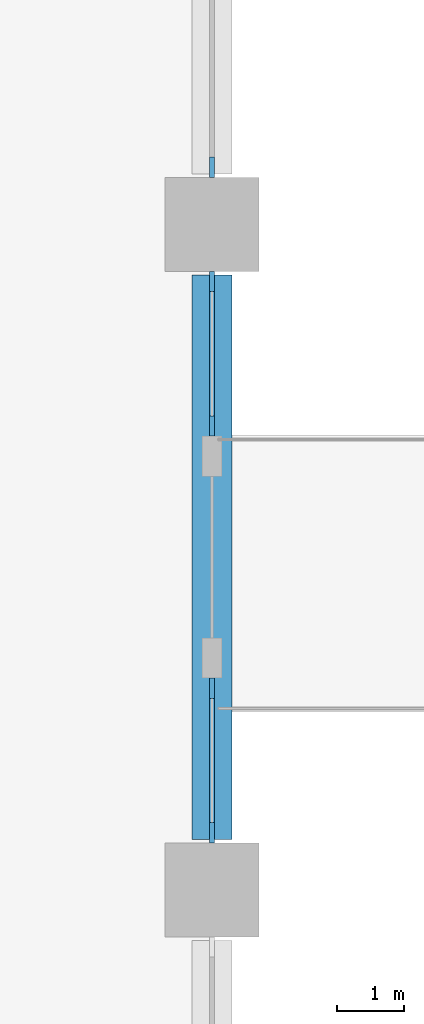
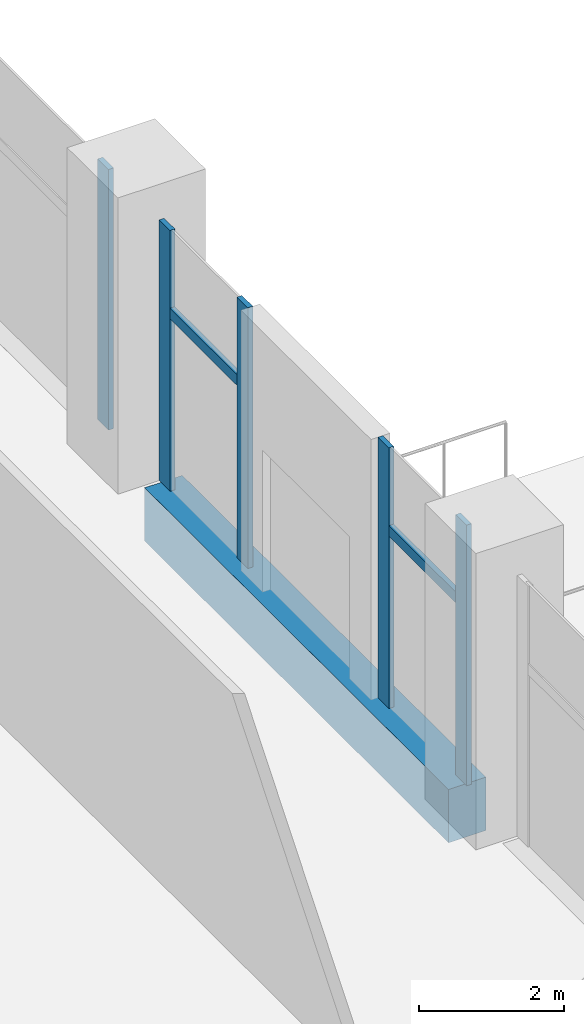
# One storey, part 6 of 33: 7 members, 1 beam, 3 elements without a shape of their own.
"""IFC4 building model written with IfcOpenShell, lengths in metres."""

from ifc_helpers import new_model, si_unit, direction, frame, origin, origin_2d, place, context, subcontext, project, spatial, rectangle, extrude, material, material_profile, profile_set, type_object, element, aggregate, save


model = new_model("IFC4")

# Units and contexts
model_context = context("Model", 3, precision=1e-05, world=origin(), true_north=direction((0.0, 1.0)))
body_context = subcontext(model_context, "Body", "Model", "MODEL_VIEW")
ifc_project = project(units=[si_unit("LENGTHUNIT", "METRE"), si_unit("AREAUNIT", "SQUARE_METRE"), si_unit("VOLUMEUNIT", "CUBIC_METRE"), si_unit("PLANEANGLEUNIT", "RADIAN"), si_unit("MASSUNIT", "GRAM", prefix="KILO")], contexts=[model_context])

# Site, building, storey
site_placement = place(None, origin())
site = spatial("IfcSite", under=ifc_project, at=site_placement, CompositionType="ELEMENT")
building_placement = place(site_placement, origin())
building = spatial("IfcBuilding", under=site, at=building_placement, Name="Candeia Pilgrim Tower and Theatre", CompositionType="ELEMENT")
storey_placement = place(building_placement, frame((0.0, 0.0, 29.0)))
storey = spatial("IfcBuildingStorey", under=building, at=storey_placement, Name="L04", CompositionType="ELEMENT", Elevation=29.0)

# Curtain wall, member
ifc_material_1 = material(Name="Aluminium framed podium glazing", Category="aluminium")
curtain_wall_type = type_object("IfcCurtainWallType", Name="CW-P curtain wall", PredefinedType="NOTDEFINED", material=ifc_material_1)
curtain_wall_1_placement = place(storey_placement, origin())
curtain_wall_1 = element("IfcCurtainWall", 1, at=curtain_wall_1_placement, inside=storey, type_object=curtain_wall_type, Name="Curtain wall CW-P L04.210", PredefinedType="NOTDEFINED")
ifc_material_2 = material(Name="Anodised aluminium", Category="aluminium")
ifc_material_profile_1 = material_profile(ifc_material_2, rectangle(XDim=0.080078125, YDim=0.300048828125, at=origin_2d()))
ifc_profile_set_1 = profile_set([ifc_material_profile_1], Name="Anodised aluminium")
member_type_1 = type_object("IfcMemberType", Name="CW-P mullion 80x300", PredefinedType="MULLION", material=ifc_profile_set_1)
member_1_placement = place(storey_placement, frame((159.60009765625, 126.75, 0.0), z_axis=(0.0, 0.0, 1.0), x_axis=(1.0, 0.0, 0.0)))
member_1 = element("IfcMember", 2, at=member_1_placement, type_object=member_type_1, Name="CW-P mullion 2", PredefinedType="MULLION", context=body_context, shape_type="SweptSolid", body=[
    extrude(rectangle(XDim=0.080078125, YDim=0.300048828125, at=origin_2d()), origin(), (0.0, 0.0, 1.0), 4.39990234375),
])
aggregate(curtain_wall_1, [member_1])

# Curtain wall, members
curtain_wall_2_placement = place(storey_placement, origin())
curtain_wall_2 = element("IfcCurtainWall", 3, at=curtain_wall_2_placement, inside=storey, type_object=curtain_wall_type, Name="Curtain wall CW-P L04.220", PredefinedType="NOTDEFINED")
member_2_placement = place(storey_placement, frame((159.60009765625, 125.050048828125, 0.0), z_axis=(0.0, 0.0, 1.0), x_axis=(1.0, 0.0, 0.0)))
member_2 = element("IfcMember", 4, at=member_2_placement, type_object=member_type_1, Name="CW-P mullion 1", PredefinedType="MULLION", context=body_context, shape_type="SweptSolid", body=[
    extrude(rectangle(XDim=0.080078125, YDim=0.300048828125, at=origin_2d()), origin(), (0.0, 0.0, 1.0), 4.39990234375),
])
member_3_placement = place(storey_placement, frame((159.60009765625, 122.89990234375, 0.0), z_axis=(0.0, 0.0, 1.0), x_axis=(1.0, 0.0, 0.0)))
member_3 = element("IfcMember", 5, at=member_3_placement, type_object=member_type_1, Name="CW-P mullion 2", PredefinedType="MULLION", context=body_context, shape_type="SweptSolid", body=[
    extrude(rectangle(XDim=0.080078125, YDim=0.300048828125, at=origin_2d()), origin(), (0.0, 0.0, 1.0), 4.39990234375),
])

curtain_wall_3_placement = place(storey_placement, origin())
curtain_wall_3 = element("IfcCurtainWall", 6, at=curtain_wall_3_placement, inside=storey, type_object=curtain_wall_type, Name="Curtain wall CW-P L04.221", PredefinedType="NOTDEFINED")
member_4_placement = place(storey_placement, frame((159.60009765625, 119.0, 0.0), z_axis=(0.0, 0.0, 1.0), x_axis=(1.0, 0.0, 0.0)))
member_4 = element("IfcMember", 7, at=member_4_placement, type_object=member_type_1, Name="CW-P mullion 1", PredefinedType="MULLION", context=body_context, shape_type="SweptSolid", body=[
    extrude(rectangle(XDim=0.080078125, YDim=0.300048828125, at=origin_2d()), origin(), (0.0, 0.0, 1.0), 4.39990234375),
])
member_5_placement = place(storey_placement, frame((159.60009765625, 116.85009765625, 0.0), z_axis=(0.0, 0.0, 1.0), x_axis=(1.0, 0.0, 0.0)))
member_5 = element("IfcMember", 8, at=member_5_placement, type_object=member_type_1, Name="CW-P mullion 2", PredefinedType="MULLION", context=body_context, shape_type="SweptSolid", body=[
    extrude(rectangle(XDim=0.080078125, YDim=0.300048828125, at=origin_2d()), origin(), (0.0, 0.0, 1.0), 4.39990234375),
])

# Member
ifc_material_profile_2 = material_profile(ifc_material_2, rectangle(XDim=0.080078125, YDim=0.179931640625, at=origin_2d()))
ifc_profile_set_2 = profile_set([ifc_material_profile_2], Name="Anodised aluminium")
member_type_2 = type_object("IfcMemberType", Name="CW-P transom 80x180", PredefinedType="USERDEFINED", material=ifc_profile_set_2)
member_6_placement = place(storey_placement, frame((159.60009765625, 125.010009765625, 3.0), z_axis=(0.0, -1.0, 0.0), x_axis=(1.0, 0.0, 0.0)))
member_6 = element("IfcMember", 9, at=member_6_placement, type_object=member_type_2, Name="CW-P transom 1.1", ObjectType="TRANSOM", PredefinedType="USERDEFINED", context=body_context, shape_type="SweptSolid", body=[
    extrude(rectangle(XDim=0.080078125, YDim=0.179931640625, at=origin_2d()), origin(), (0.0, 0.0, 1.0), 2.070068359375),
])

aggregate(curtain_wall_2, [member_2, member_3, member_6])

member_7_placement = place(storey_placement, frame((159.60009765625, 118.9599609375, 3.0), z_axis=(0.0, -1.0, 0.0), x_axis=(1.0, 0.0, 0.0)))
member_7 = element("IfcMember", 10, at=member_7_placement, type_object=member_type_2, Name="CW-P transom 1.1", ObjectType="TRANSOM", PredefinedType="USERDEFINED", context=body_context, shape_type="SweptSolid", body=[
    extrude(rectangle(XDim=0.080078125, YDim=0.179931640625, at=origin_2d()), origin(), (0.0, 0.0, 1.0), 2.070068359375),
])

aggregate(curtain_wall_3, [member_4, member_5, member_7])

# Beam
ifc_material_3 = material(Name="Concrete C80/95", Category="concrete")
ifc_material_profile_3 = material_profile(ifc_material_3, rectangle(XDim=0.60009765625, YDim=0.89990234375, at=origin_2d()))
ifc_profile_set_3 = profile_set([ifc_material_profile_3], Name="Concrete C80/95")
beam_type = type_object("IfcBeamType", Name="RC 600x900 C80/95", PredefinedType="BEAM", material=ifc_profile_set_3)
beam_placement = place(storey_placement, frame((159.60009765625, 116.75, -0.449951171875), z_axis=(0.0, 1.0, 0.0), x_axis=(-1.0, 0.0, 0.0)))
element("IfcBeam", 11, at=beam_placement, inside=storey, type_object=beam_type, Name="Spandrel beam L04-04", PredefinedType="BEAM", context=body_context, shape_type="SweptSolid", body=[
    extrude(rectangle(XDim=0.60009765625, YDim=0.89990234375, at=origin_2d()), origin(), (0.0, 0.0, 1.0), 8.39990234375),
])

save(model, "model.ifc")
